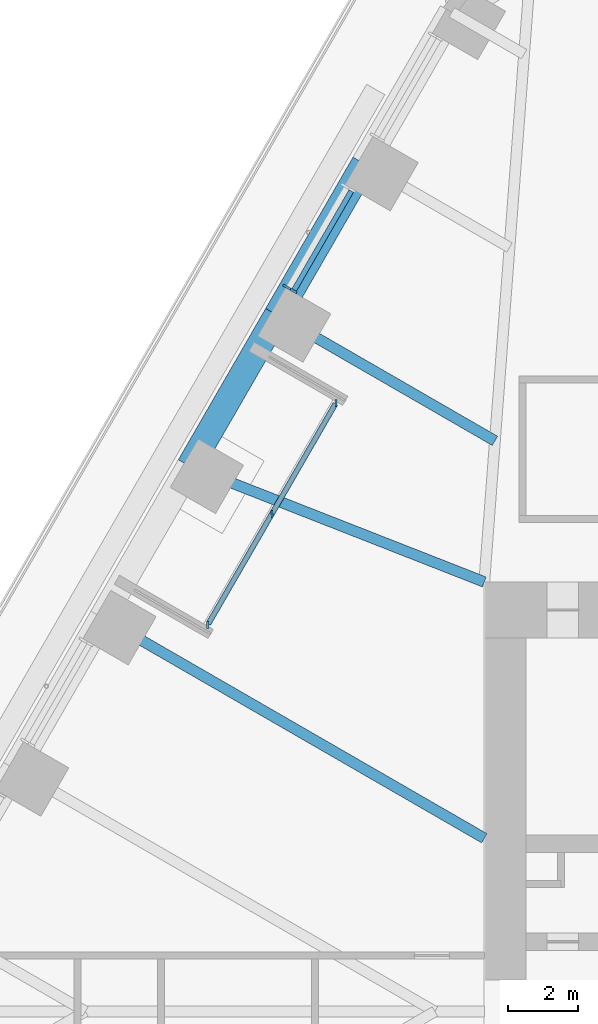
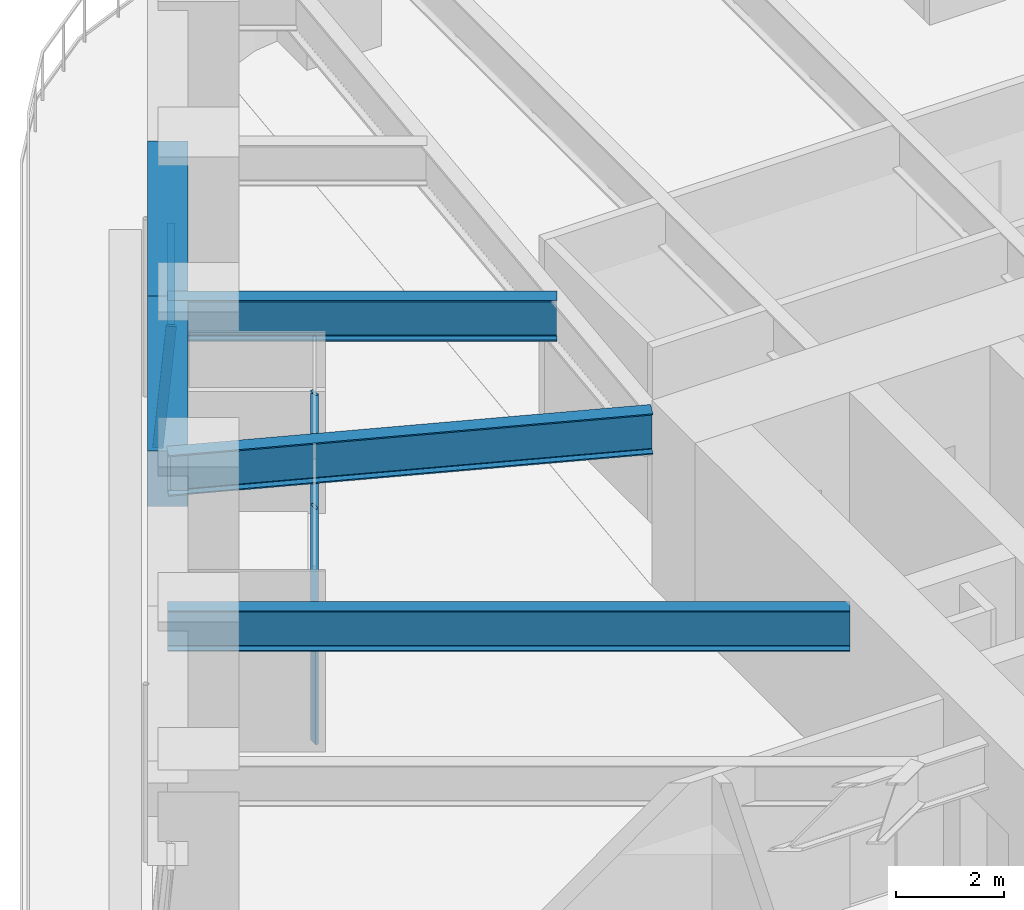
# One storey, part 8 of 24: 6 members, 5 beams, 2 elements without a shape of their own.
"""IFC4 building model written with IfcOpenShell, lengths in metres."""

from ifc_helpers import new_model, si_unit, direction, frame, origin, origin_2d, place, context, subcontext, project, spatial, rectangle, i_section, extrude, material, material_profile, profile_set, type_object, element, aggregate, save


model = new_model("IFC4")

# Units and contexts
model_context = context("Model", 3, precision=1e-05, world=origin(), true_north=direction((0.0, 1.0)))
body_context = subcontext(model_context, "Body", "Model", "MODEL_VIEW")
ifc_project = project(units=[si_unit("LENGTHUNIT", "METRE"), si_unit("AREAUNIT", "SQUARE_METRE"), si_unit("VOLUMEUNIT", "CUBIC_METRE"), si_unit("PLANEANGLEUNIT", "RADIAN"), si_unit("MASSUNIT", "GRAM", prefix="KILO")], contexts=[model_context])

# Site, building, storey
site_placement = place(None, origin())
site = spatial("IfcSite", under=ifc_project, at=site_placement, CompositionType="ELEMENT")
building_placement = place(site_placement, origin())
building = spatial("IfcBuilding", under=site, at=building_placement, Name="Tarfa Lantern Tower", CompositionType="ELEMENT")
storey_placement = place(building_placement, frame((0.0, 0.0, 148.89990234375)))
storey = spatial("IfcBuildingStorey", under=building, at=storey_placement, Name="L33", CompositionType="ELEMENT", Elevation=148.89990234375)

# Curtain wall, member
ifc_material_1 = material(Name="Aluminium framed curtain wall", Category="aluminium")
curtain_wall_type_1 = type_object("IfcCurtainWallType", Name="CW2 CANTED GLAZING MID ZONE 2750", PredefinedType="USERDEFINED", material=ifc_material_1)
curtain_wall_1_placement = place(storey_placement, origin())
curtain_wall_1 = element("IfcCurtainWall", 1, at=curtain_wall_1_placement, inside=storey, type_object=curtain_wall_type_1, Name="CW2 NW L33", ObjectType="CURTAIN WALL", PredefinedType="USERDEFINED")
ifc_material_2 = material(Name="Aluminium mullion", Category="aluminium")
ifc_material_profile_1 = material_profile(ifc_material_2, rectangle(XDim=0.06494140625, YDim=0.199951171875, at=origin_2d()), Name="AL MULLION 65x200")
ifc_profile_set_1 = profile_set([ifc_material_profile_1], Name="Aluminium mullion")
member_type_1 = type_object("IfcMemberType", Name="CWM1 MULLION 65x200", PredefinedType="MULLION", material=ifc_profile_set_1)
member_1_placement = place(storey_placement, frame((-24.275146484375, 20.75439453125, 0.0), z_axis=(0.078422950161, -0.045267813396, 0.995891894715), x_axis=(0.499919672301, 0.866071776036, 0.0)))
member_1 = element("IfcMember", 2, at=member_1_placement, type_object=member_type_1, Name="CW2 mullion 2", PredefinedType="MULLION", context=body_context, shape_type="SweptSolid", body=[
    extrude(rectangle(XDim=0.06494140625, YDim=0.199951171875, at=origin_2d()), origin(), (0.0, 0.0, 1.0), 2.76123046875),
])

# Curtain wall, members
curtain_wall_type_2 = type_object("IfcCurtainWallType", Name="CW10 LOGGIA GLAZING 2750", PredefinedType="USERDEFINED", material=ifc_material_1)
curtain_wall_2_placement = place(storey_placement, origin())
curtain_wall_2 = element("IfcCurtainWall", 3, at=curtain_wall_2_placement, inside=storey, type_object=curtain_wall_type_2, Name="CW10 NWL L33", ObjectType="CURTAIN WALL", PredefinedType="USERDEFINED")
member_2_placement = place(storey_placement, frame((-22.84619140625, 17.429443359375, 0.0), z_axis=(0.0, 0.0, 1.0), x_axis=(1.0, 0.0, 0.0)))
member_2 = element("IfcMember", 4, at=member_2_placement, type_object=member_type_1, Name="CW10 mullion 1", PredefinedType="MULLION", context=body_context, shape_type="SweptSolid", body=[
    extrude(rectangle(XDim=0.06494140625, YDim=0.199951171875, at=origin_2d()), origin(), (0.0, 0.0, 1.0), 2.75),
])
member_3_placement = place(storey_placement, frame((-24.681640625, 14.25, 0.0), z_axis=(0.0, 0.0, 1.0), x_axis=(1.0, 0.0, 0.0)))
member_3 = element("IfcMember", 5, at=member_3_placement, type_object=member_type_1, Name="CW10 mullion 2", PredefinedType="MULLION", context=body_context, shape_type="SweptSolid", body=[
    extrude(rectangle(XDim=0.06494140625, YDim=0.199951171875, at=origin_2d()), origin(), (0.0, 0.0, 1.0), 2.75),
])
member_4_placement = place(storey_placement, frame((-26.517333984375, 11.070556640625, 0.0), z_axis=(0.0, 0.0, 1.0), x_axis=(1.0, 0.0, 0.0)))
member_4 = element("IfcMember", 6, at=member_4_placement, type_object=member_type_1, Name="CW10 mullion 3", PredefinedType="MULLION", context=body_context, shape_type="SweptSolid", body=[
    extrude(rectangle(XDim=0.06494140625, YDim=0.199951171875, at=origin_2d()), origin(), (0.0, 0.0, 1.0), 2.75),
])

# Member
ifc_material_3 = material(Name="Aluminium transom", Category="aluminium")
ifc_material_profile_2 = material_profile(ifc_material_3, rectangle(XDim=0.14990234375, YDim=0.06494140625, at=origin_2d()), Name="AL TRANSOM 150x65")
ifc_profile_set_2 = profile_set([ifc_material_profile_2], Name="Aluminium transom")
member_type_2 = type_object("IfcMemberType", Name="CWT1 TRANSOM 150x65", PredefinedType="USERDEFINED", material=ifc_profile_set_2)
member_5_placement = place(storey_placement, frame((-22.407958984375, 23.494140625, 2.717529296875), z_axis=(-0.500012937857, -0.86601793398, 0.0), x_axis=(0.86601793398, -0.500012937857, 0.0)))
member_5 = element("IfcMember", 7, at=member_5_placement, type_object=member_type_2, Name="CW2 transom 1.2", ObjectType="TRANSOM", PredefinedType="USERDEFINED", context=body_context, shape_type="SweptSolid", body=[
    extrude(rectangle(XDim=0.14990234375, YDim=0.06494140625, at=origin_2d()), origin(), (0.0, 0.0, 1.0), 3.27392578125),
])

aggregate(curtain_wall_1, [member_1, member_5])

member_6_placement = place(storey_placement, frame((-22.8623046875, 17.401123046875, 2.717529296875), z_axis=(-0.500007048974, -0.866021334019, 0.0), x_axis=(0.866021334019, -0.500007048974, 0.0)))
member_6 = element("IfcMember", 8, at=member_6_placement, type_object=member_type_2, Name="CW10 transom 1.2", ObjectType="TRANSOM", PredefinedType="USERDEFINED", context=body_context, shape_type="SweptSolid", body=[
    extrude(rectangle(XDim=0.14990234375, YDim=0.06494140625, at=origin_2d()), origin(), (0.0, 0.0, 1.0), 7.27734375),
])

aggregate(curtain_wall_2, [member_2, member_3, member_4, member_6])

# Beams
ifc_material_4 = material(Name="Concrete C80/95", Category="concrete")
ifc_material_profile_3 = material_profile(ifc_material_4, rectangle(XDim=0.75, YDim=1.25, at=origin_2d()), Name="RC 750x1250")
ifc_profile_set_3 = profile_set([ifc_material_profile_3], Name="Concrete C80/95")
beam_type_1 = type_object("IfcBeamType", Name="EB2 RC 750x1250", PredefinedType="SPANDREL", material=ifc_profile_set_3)
for number, where, z_axis, x_axis, name in (
    (9, (-22.03369140625, 24.276611328125, 3.375), (-0.49998573051, -0.866033642122, 0.0), (0.866033642122, -0.49998573051, 0.0), "Edge beam NW1"),
    (10, (-24.535400390625, 19.943359375, 3.375), (-0.500022324899, -0.866012514114, 0.0), (0.866012514114, -0.500022324899, 0.0), "Edge beam NW2"),
):
    element("IfcBeam", number, at=place(storey_placement, frame(where, z_axis=z_axis, x_axis=x_axis)), inside=storey, type_object=beam_type_1, Name=name, PredefinedType="SPANDREL", context=body_context, shape_type="SweptSolid", body=[
        extrude(rectangle(XDim=0.75, YDim=1.25, at=origin_2d()), origin(), (0.0, 0.0, 1.0), 5.003662109375),
    ])
ifc_material_5 = material(Name="Steel S460M", Category="steel")
ifc_material_profile_4 = material_profile(ifc_material_5, i_section(OverallWidth=0.305419921875, OverallDepth=0.91845703125, WebThickness=0.017333984375, FlangeThickness=0.02783203125, FilletRadius=0.01904296875, at=origin_2d()), Name="UB914x305x253")
ifc_profile_set_4 = profile_set([ifc_material_profile_4], Name="Steel S460M")
beam_type_2 = type_object("IfcBeamType", Name="UB914x305x253", PredefinedType="BEAM", material=ifc_profile_set_4)
beam_1_placement = place(storey_placement, frame((-24.535400390625, 19.943359375, 3.541015625), z_axis=(0.86602647304, -0.499998147991, 0.0), x_axis=(0.499998147991, 0.86602647304, 0.0)))
element("IfcBeam", 11, at=beam_1_placement, inside=storey, type_object=beam_type_2, Name="Floor beam NW2", PredefinedType="BEAM", context=body_context, shape_type="SweptSolid", body=[
    extrude(i_section(OverallWidth=0.305419921875, OverallDepth=0.91845703125, WebThickness=0.017333984375, FlangeThickness=0.02783203125, FilletRadius=0.01904296875, at=origin_2d()), origin(), (0.0, 0.0, 1.0), 7.20556640625),
])
beam_2_placement = place(storey_placement, frame((-27.037353515625, 15.610107421875, 3.541015625), z_axis=(0.930923282782, -0.365214788274, 0.0), x_axis=(0.365214788274, 0.930923282782, 0.0)))
element("IfcBeam", 12, at=beam_2_placement, inside=storey, type_object=beam_type_2, Name="Floor beam NW3", PredefinedType="BEAM", context=body_context, shape_type="SweptSolid", body=[
    extrude(i_section(OverallWidth=0.305419921875, OverallDepth=0.91845703125, WebThickness=0.017333984375, FlangeThickness=0.02783203125, FilletRadius=0.01904296875, at=origin_2d()), origin(), (0.0, 0.0, 1.0), 9.063232421875),
])
beam_3_placement = place(storey_placement, frame((-29.5390625, 11.276611328125, 3.541015625), z_axis=(0.866023362995, -0.500003534735, 0.0), x_axis=(0.500003534735, 0.866023362995, 0.0)))
element("IfcBeam", 13, at=beam_3_placement, inside=storey, type_object=beam_type_2, Name="Floor beam NW4", PredefinedType="BEAM", context=body_context, shape_type="SweptSolid", body=[
    extrude(i_section(OverallWidth=0.305419921875, OverallDepth=0.91845703125, WebThickness=0.017333984375, FlangeThickness=0.02783203125, FilletRadius=0.01904296875, at=origin_2d()), origin(), (0.0, 0.0, 1.0), 12.63134765625),
])

save(model, "model.ifc")
